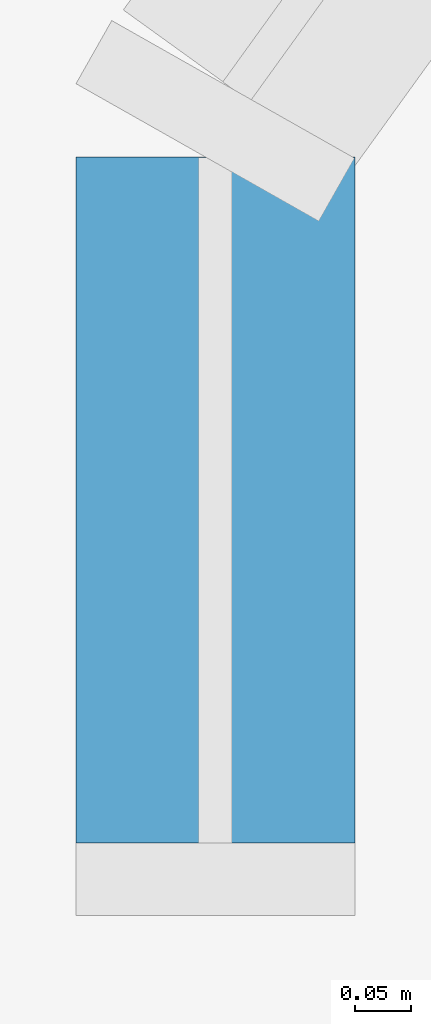
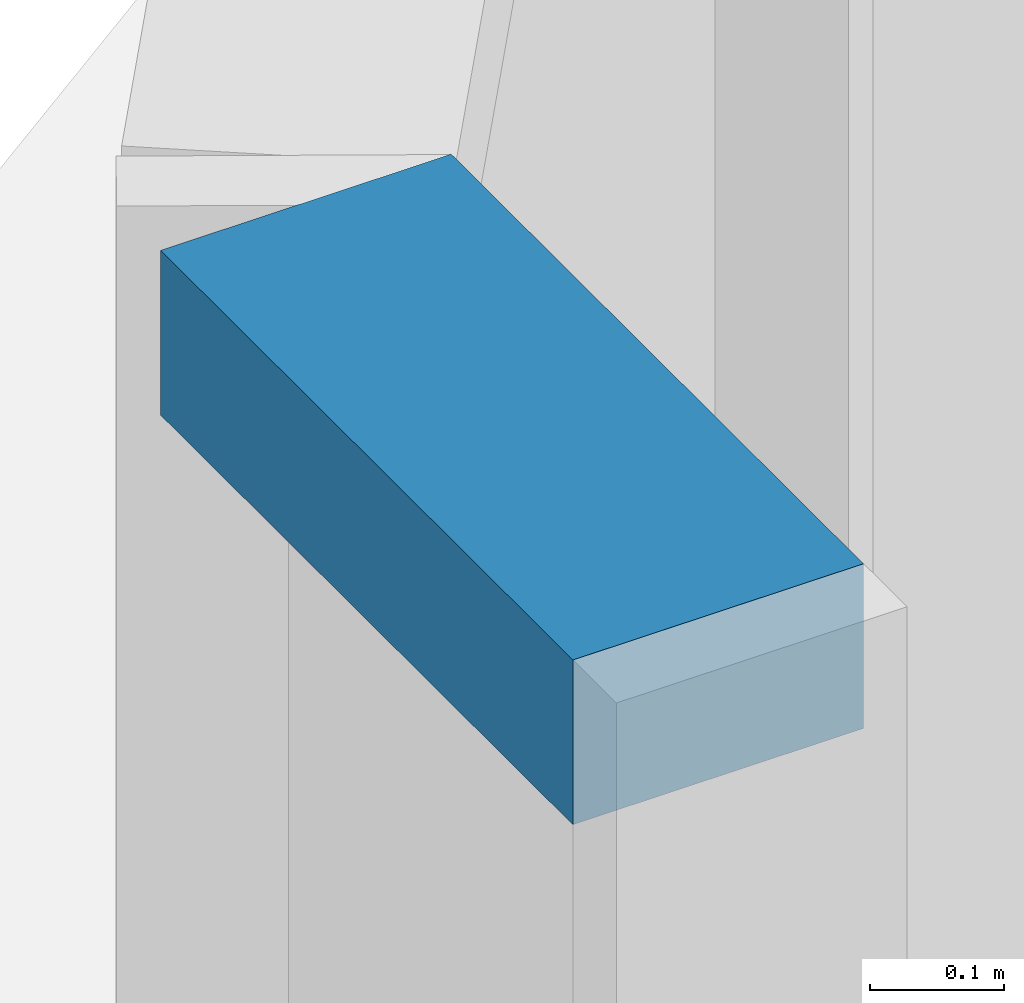
# One storey, part 8 of 19: 1 member, 1 element without a shape of its own.
"""IFC4 building model written with IfcOpenShell, lengths in metres."""

from ifc_helpers import new_model, si_unit, direction, frame, origin, origin_2d, place, context, subcontext, project, spatial, rectangle, extrude, material, material_profile, profile_set, type_object, element, aggregate, save


model = new_model("IFC4")

# Units and contexts
model_context = context("Model", 3, precision=1e-05, world=origin(), true_north=direction((0.0, 1.0)))
body_context = subcontext(model_context, "Body", "Model", "MODEL_VIEW")
ifc_project = project(units=[si_unit("LENGTHUNIT", "METRE"), si_unit("AREAUNIT", "SQUARE_METRE"), si_unit("VOLUMEUNIT", "CUBIC_METRE"), si_unit("PLANEANGLEUNIT", "RADIAN"), si_unit("MASSUNIT", "GRAM", prefix="KILO")], contexts=[model_context])

# Site, building, storey
site_placement = place(None, origin())
site = spatial("IfcSite", under=ifc_project, at=site_placement, CompositionType="ELEMENT")
building_placement = place(site_placement, origin())
building = spatial("IfcBuilding", under=site, at=building_placement, Name="Lancet Gate Hotel", CompositionType="ELEMENT")
storey_placement = place(building_placement, frame((0.0, 0.0, 87.0)))
storey = spatial("IfcBuildingStorey", under=building, at=storey_placement, Name="L22", CompositionType="ELEMENT", Elevation=87.0)

# Curtain wall, member
ifc_material_1 = material(Name="Aluminium curtain wall", Category="aluminium")
curtain_wall_type = type_object("IfcCurtainWallType", Name="Tower unitised curtain wall", PredefinedType="USERDEFINED", material=ifc_material_1)
curtain_wall_placement = place(storey_placement, origin())
curtain_wall = element("IfcCurtainWall", 1, at=curtain_wall_placement, inside=storey, type_object=curtain_wall_type, Name="T1 L22 curtain wall 5", ObjectType="UNITISED CURTAIN WALL", PredefinedType="USERDEFINED")
ifc_material_2 = material(Name="Aluminium transom", Category="aluminium")
ifc_material_profile = material_profile(ifc_material_2, rectangle(XDim=0.25, YDim=0.14990234375, at=origin_2d()), Name="TRANSOM 250x150")
ifc_profile_set = profile_set([ifc_material_profile], Name="Aluminium transom")
member_type = type_object("IfcMemberType", Name="Aluminium transom 250x150", PredefinedType="USERDEFINED", material=ifc_profile_set)
member_placement = place(storey_placement, frame((-71.64306640625, 1.50390625, 3.52490234375), z_axis=(0.0, -1.0, 0.0), x_axis=(1.0, 0.0, 0.0)))
member = element("IfcMember", 2, at=member_placement, type_object=member_type, Name="T1 L22 curtain wall 5 transom 4", ObjectType="TRANSOM", PredefinedType="USERDEFINED", context=body_context, shape_type="SweptSolid", body=[
    extrude(rectangle(XDim=0.25, YDim=0.14990234375, at=origin_2d()), origin(), (0.0, 0.0, 1.0), 0.614501953125),
])
aggregate(curtain_wall, [member])

save(model, "model.ifc")
